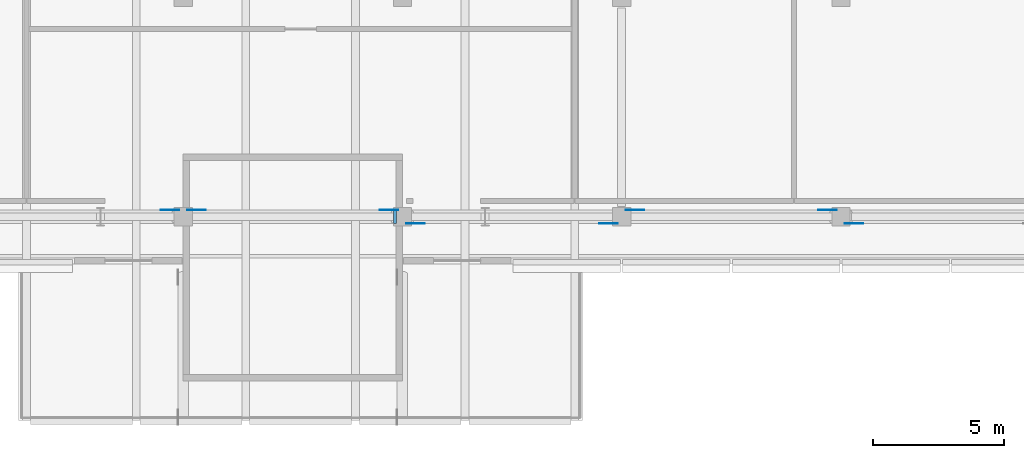
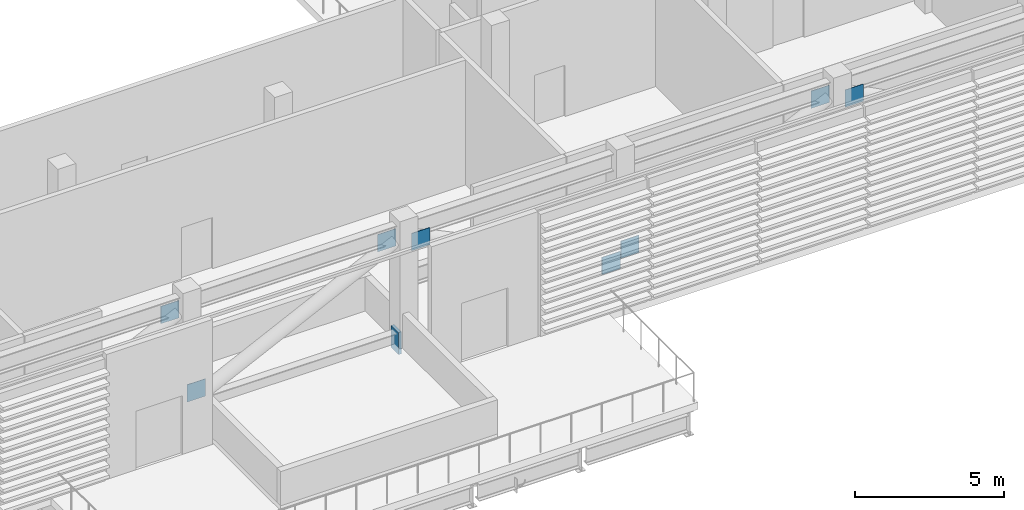
# One storey, part 20 of 29: 9 discrete accessories.
"""IFC4 building model written with IfcOpenShell, lengths in metres."""

from ifc_helpers import new_model, si_unit, direction, frame, origin, origin_2d, place, context, subcontext, project, spatial, rectangle, extrude, element, save


model = new_model("IFC4")

# Units and contexts
model_context = context("Model", 3, precision=1e-05, world=origin(), true_north=direction((0.0, 1.0)))
body_context = subcontext(model_context, "Body", "Model", "MODEL_VIEW")
ifc_project = project(units=[si_unit("LENGTHUNIT", "METRE"), si_unit("AREAUNIT", "SQUARE_METRE"), si_unit("VOLUMEUNIT", "CUBIC_METRE"), si_unit("PLANEANGLEUNIT", "RADIAN"), si_unit("MASSUNIT", "GRAM", prefix="KILO")], contexts=[model_context])

# Site, building, storey
site_placement = place(None, origin())
site = spatial("IfcSite", under=ifc_project, at=site_placement, CompositionType="ELEMENT")
building_placement = place(site_placement, origin())
building = spatial("IfcBuilding", under=site, at=building_placement, Name="Saffron Gate Tower", CompositionType="ELEMENT")
storey_placement = place(building_placement, frame((0.0, 0.0, 142.050048828125)))
storey = spatial("IfcBuildingStorey", under=building, at=storey_placement, Name="L34", CompositionType="ELEMENT", Elevation=142.050048828125)

# Discrete accessories
for number, where, z_axis, x_axis, name in (
    (1, (82.889892578125, 32.053955078125, 3.987060546875), (0.0, 0.0, 1.0), (1.0, 0.0, 0.0), "GUSSET PLATE"),
    (2, (83.91015625, 32.053955078125, 0.421875), (0.0, 0.0, 1.0), (1.0, 0.0, 0.0), "GUSSET PLATE"),
    (3, (91.289794921875, 32.053955078125, 3.987060546875), (0.0, 0.0, 1.0), (1.0, 0.0, 0.0), "GUSSET PLATE"),
    (4, (99.68994140625, 31.5458984375, 0.421875), (0.0, 0.0, 1.0), (-1.0, 0.0, 0.0), "GUSSET PLATE"),
    (5, (92.31005859375, 31.5458984375, 3.987060546875), (0.0, 0.0, 1.0), (-1.0, 0.0, 0.0), "GUSSET PLATE"),
    (6, (100.710205078125, 32.053955078125, 0.421875), (0.0, 0.0, 1.0), (1.0, 0.0, 0.0), "GUSSET PLATE"),
    (7, (108.08984375, 32.053955078125, 3.987060546875), (0.0, 0.0, 1.0), (1.0, 0.0, 0.0), "GUSSET PLATE"),
    (8, (109.107666015625, 31.5458984375, 3.982421875), (0.0, 0.0, 1.0), (-1.0, 0.0, 0.0), "GUSSET PLATE"),
):
    element("IfcDiscreteAccessory", number, at=place(storey_placement, frame(where, z_axis=z_axis, x_axis=x_axis)), inside=storey, Name=name, ObjectType="GUSSET PLATE", PredefinedType="USERDEFINED", context=body_context, shape_type="SweptSolid", body=[
        extrude(rectangle(XDim=0.7109375, YDim=0.02001953125, at=origin_2d()), origin(), (0.0, 0.0, 1.0), 0.7109375),
    ])
discrete_accessory_placement = place(storey_placement, frame((91.510009765625, 31.800048828125, -0.10009765625), z_axis=(0.0, 0.0, 1.0), x_axis=(1.0, 0.0, 0.0)))
element("IfcDiscreteAccessory", 9, at=discrete_accessory_placement, inside=storey, Name="OUTRIGGER CAST-IN PLATE", ObjectType="OUTRIGGER CAST-IN PLATE", PredefinedType="USERDEFINED", context=body_context, shape_type="SweptSolid", body=[
    extrude(rectangle(XDim=0.1201171875, YDim=0.5, at=origin_2d()), origin(), (0.0, 0.0, 1.0), 0.89990234375),
])

save(model, "model.ifc")
